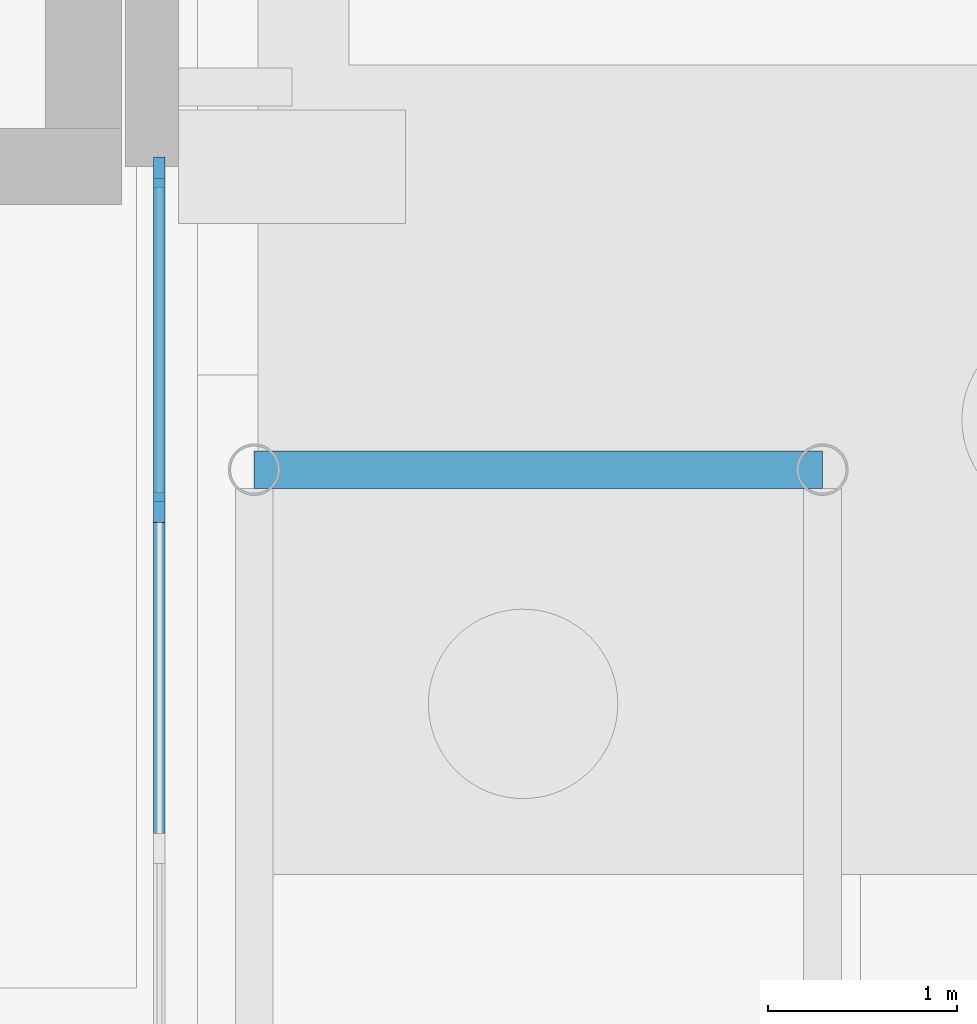
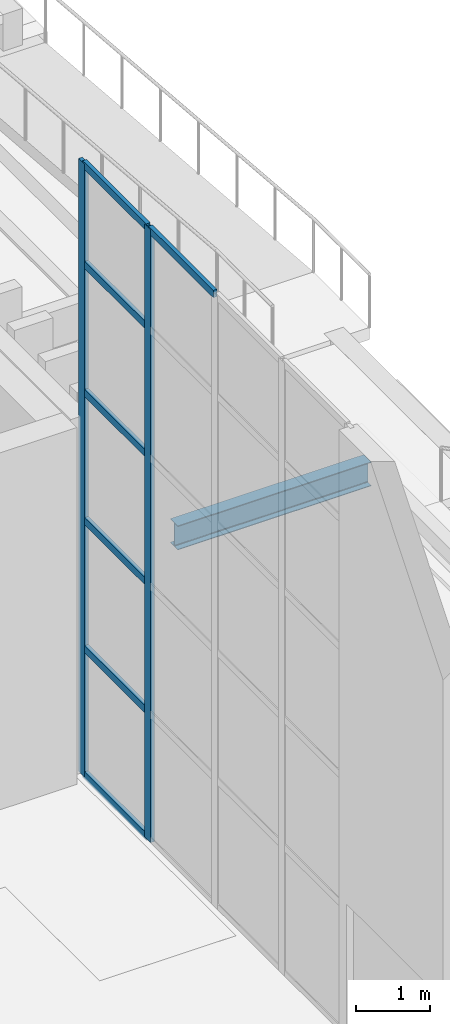
# One storey, part 42 of 108: 9 members, 1 beam, 1 element without a shape of its own.
"""IFC4 building model written with IfcOpenShell, lengths in metres."""

from ifc_helpers import new_model, si_unit, direction, frame, origin, origin_2d, place, context, subcontext, project, spatial, rectangle, i_section, extrude, material, material_profile, profile_set, type_object, element, aggregate, save


model = new_model("IFC4")

# Units and contexts
model_context = context("Model", 3, precision=1e-05, world=origin(), true_north=direction((0.0, 1.0)))
body_context = subcontext(model_context, "Body", "Model", "MODEL_VIEW")
ifc_project = project(units=[si_unit("LENGTHUNIT", "METRE"), si_unit("AREAUNIT", "SQUARE_METRE"), si_unit("VOLUMEUNIT", "CUBIC_METRE"), si_unit("PLANEANGLEUNIT", "RADIAN"), si_unit("MASSUNIT", "GRAM", prefix="KILO")], contexts=[model_context])

# Site, building, storey
site_placement = place(None, origin())
site = spatial("IfcSite", under=ifc_project, at=site_placement, CompositionType="ELEMENT")
building_placement = place(site_placement, origin())
building = spatial("IfcBuilding", under=site, at=building_placement, Name="Cresset Court Congress Hotel", CompositionType="ELEMENT")
storey_placement = place(building_placement, origin())
storey = spatial("IfcBuildingStorey", under=building, at=storey_placement, Name="L00", CompositionType="ELEMENT", Elevation=0.0)

# Beam
ifc_material_1 = material(Name="Structural steel Q355B", Category="steel")
ifc_material_profile_1 = material_profile(ifc_material_1, i_section(OverallWidth=0.198974609375, OverallDepth=0.39599609375, WebThickness=0.007080078125, FlangeThickness=0.010986328125, FilletRadius=0.01611328125, at=origin_2d()), Name="HN396x199x7x11")
ifc_profile_set_1 = profile_set([ifc_material_profile_1], Name="Structural steel Q355B")
beam_type = type_object("IfcBeamType", Name="Canopy beam HN396x199x7x11", PredefinedType="BEAM", material=ifc_profile_set_1)
beam_placement = place(storey_placement, frame((177.300048828125, 23.60009765625, 4.701904296875), z_axis=(1.0, 0.0, 0.0), x_axis=(0.0, 1.0, 0.0)))
element("IfcBeam", 1, at=beam_placement, inside=storey, type_object=beam_type, Name="Canopy beam 2", PredefinedType="BEAM", context=body_context, shape_type="SweptSolid", body=[
    extrude(i_section(OverallWidth=0.198974609375, OverallDepth=0.39599609375, WebThickness=0.007080078125, FlangeThickness=0.010986328125, FilletRadius=0.01611328125, at=origin_2d()), origin(), (0.0, 0.0, 1.0), 3.0),
])

# Curtain wall, members
ifc_material_2 = material(Name="Aluminium and glass", Category="aluminium")
curtain_wall_type = type_object("IfcCurtainWallType", Name="Curtain wall 1680 module", PredefinedType="NOTDEFINED", material=ifc_material_2)
curtain_wall_placement = place(storey_placement, origin())
curtain_wall = element("IfcCurtainWall", 2, at=curtain_wall_placement, inside=storey, type_object=curtain_wall_type, Name="Entrance glazing north", PredefinedType="NOTDEFINED")
ifc_material_3 = material(Name="Anodised aluminium", Category="aluminium")
ifc_material_profile_2 = material_profile(ifc_material_3, rectangle(XDim=0.06005859375, YDim=0.159912109375, at=origin_2d()), Name="AL60x160")
ifc_profile_set_2 = profile_set([ifc_material_profile_2], Name="Anodised aluminium")
member_type_1 = type_object("IfcMemberType", Name="Curtain wall mullion 60x160", PredefinedType="MULLION", material=ifc_profile_set_2)
member_1_placement = place(storey_placement, frame((176.800048828125, 23.39990234375, 0.0), z_axis=(0.0, 0.0, 1.0), x_axis=(-1.0, 0.0, 0.0)))
member_1 = element("IfcMember", 3, at=member_1_placement, type_object=member_type_1, Name="A-X1 mullion 4", PredefinedType="MULLION", context=body_context, shape_type="SweptSolid", body=[
    extrude(rectangle(XDim=0.06005859375, YDim=0.159912109375, at=origin_2d()), origin(), (0.0, 0.0, 1.0), 10.050048828125),
])
member_2_placement = place(storey_placement, frame((176.800048828125, 25.169921875, 0.0), z_axis=(0.0, 0.0, 1.0), x_axis=(-1.0, 0.0, 0.0)))
member_2 = element("IfcMember", 4, at=member_2_placement, type_object=member_type_1, Name="A-X1 mullion 5", PredefinedType="MULLION", context=body_context, shape_type="SweptSolid", body=[
    extrude(rectangle(XDim=0.06005859375, YDim=0.159912109375, at=origin_2d()), origin(), (0.0, 0.0, 1.0), 10.050048828125),
])
ifc_material_4 = material(Name="Anodised aluminium", Category="aluminium")
ifc_material_profile_3 = material_profile(ifc_material_4, rectangle(XDim=0.06005859375, YDim=0.1201171875, at=origin_2d()), Name="AL60x120")
ifc_profile_set_3 = profile_set([ifc_material_profile_3], Name="Anodised aluminium")
member_type_2 = type_object("IfcMemberType", Name="Curtain wall transom 60x120", PredefinedType="USERDEFINED", material=ifc_profile_set_3)
member_3_placement = place(storey_placement, frame((176.800048828125, 21.6298828125, 10.02001953125), z_axis=(0.0, 1.0, 0.0), x_axis=(-1.0, 0.0, 0.0)))
member_3 = element("IfcMember", 5, at=member_3_placement, type_object=member_type_2, Name="A-X1 transom 3.6", ObjectType="TRANSOM", PredefinedType="USERDEFINED", context=body_context, shape_type="SweptSolid", body=[
    extrude(rectangle(XDim=0.06005859375, YDim=0.1201171875, at=origin_2d()), origin(), (0.0, 0.0, 1.0), 1.740234375),
])
member_4_placement = place(storey_placement, frame((176.800048828125, 23.429931640625, 0.030029296875), z_axis=(0.0, 1.0, 0.0), x_axis=(-1.0, 0.0, 0.0)))
member_4 = element("IfcMember", 6, at=member_4_placement, type_object=member_type_2, Name="A-X1 transom 4.1", ObjectType="TRANSOM", PredefinedType="USERDEFINED", context=body_context, shape_type="SweptSolid", body=[
    extrude(rectangle(XDim=0.06005859375, YDim=0.1201171875, at=origin_2d()), origin(), (0.0, 0.0, 1.0), 1.7099609375),
])
member_5_placement = place(storey_placement, frame((176.800048828125, 23.429931640625, 2.10009765625), z_axis=(0.0, 1.0, 0.0), x_axis=(-1.0, 0.0, 0.0)))
member_5 = element("IfcMember", 7, at=member_5_placement, type_object=member_type_2, Name="A-X1 transom 4.2", ObjectType="TRANSOM", PredefinedType="USERDEFINED", context=body_context, shape_type="SweptSolid", body=[
    extrude(rectangle(XDim=0.06005859375, YDim=0.1201171875, at=origin_2d()), origin(), (0.0, 0.0, 1.0), 1.7099609375),
])
member_6_placement = place(storey_placement, frame((176.800048828125, 23.429931640625, 4.199951171875), z_axis=(0.0, 1.0, 0.0), x_axis=(-1.0, 0.0, 0.0)))
member_6 = element("IfcMember", 8, at=member_6_placement, type_object=member_type_2, Name="A-X1 transom 4.3", ObjectType="TRANSOM", PredefinedType="USERDEFINED", context=body_context, shape_type="SweptSolid", body=[
    extrude(rectangle(XDim=0.06005859375, YDim=0.1201171875, at=origin_2d()), origin(), (0.0, 0.0, 1.0), 1.7099609375),
])
member_7_placement = place(storey_placement, frame((176.800048828125, 23.429931640625, 6.300048828125), z_axis=(0.0, 1.0, 0.0), x_axis=(-1.0, 0.0, 0.0)))
member_7 = element("IfcMember", 9, at=member_7_placement, type_object=member_type_2, Name="A-X1 transom 4.4", ObjectType="TRANSOM", PredefinedType="USERDEFINED", context=body_context, shape_type="SweptSolid", body=[
    extrude(rectangle(XDim=0.06005859375, YDim=0.1201171875, at=origin_2d()), origin(), (0.0, 0.0, 1.0), 1.7099609375),
])
member_8_placement = place(storey_placement, frame((176.800048828125, 23.429931640625, 8.39990234375), z_axis=(0.0, 1.0, 0.0), x_axis=(-1.0, 0.0, 0.0)))
member_8 = element("IfcMember", 10, at=member_8_placement, type_object=member_type_2, Name="A-X1 transom 4.5", ObjectType="TRANSOM", PredefinedType="USERDEFINED", context=body_context, shape_type="SweptSolid", body=[
    extrude(rectangle(XDim=0.06005859375, YDim=0.1201171875, at=origin_2d()), origin(), (0.0, 0.0, 1.0), 1.7099609375),
])
member_9_placement = place(storey_placement, frame((176.800048828125, 23.429931640625, 10.02001953125), z_axis=(0.0, 1.0, 0.0), x_axis=(-1.0, 0.0, 0.0)))
member_9 = element("IfcMember", 11, at=member_9_placement, type_object=member_type_2, Name="A-X1 transom 4.6", ObjectType="TRANSOM", PredefinedType="USERDEFINED", context=body_context, shape_type="SweptSolid", body=[
    extrude(rectangle(XDim=0.06005859375, YDim=0.1201171875, at=origin_2d()), origin(), (0.0, 0.0, 1.0), 1.7099609375),
])
aggregate(curtain_wall, [member_1, member_2, member_3, member_4, member_5, member_6, member_7, member_8, member_9])

save(model, "model.ifc")
